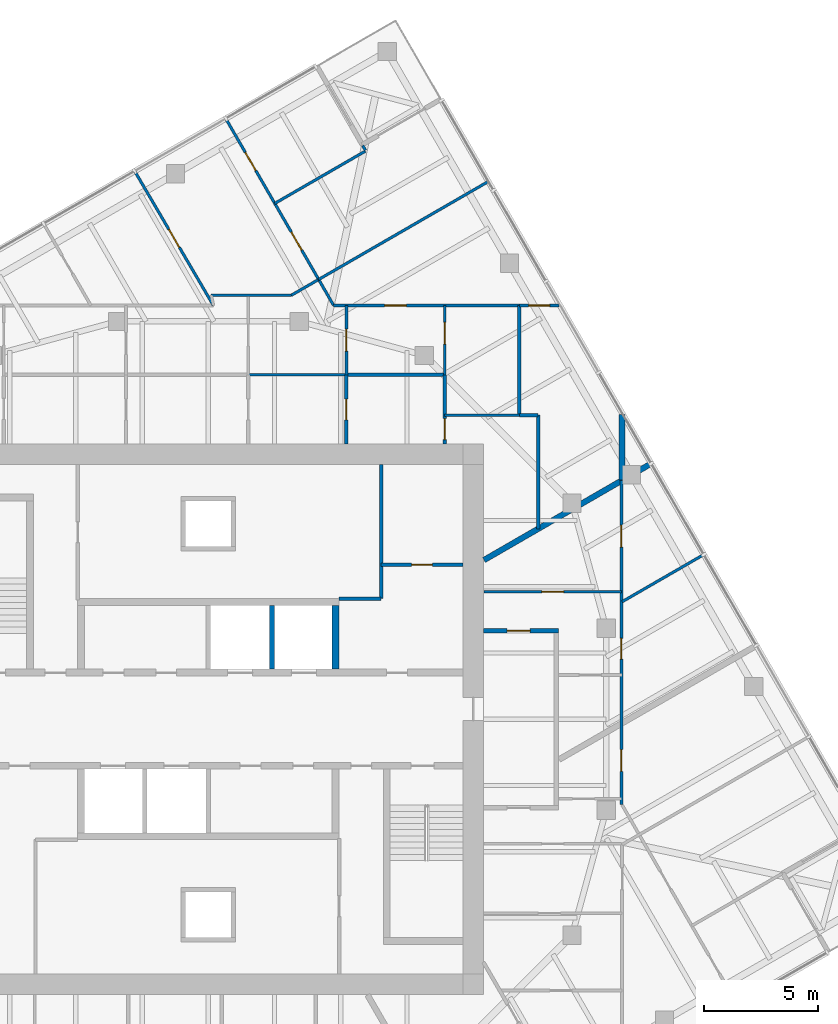
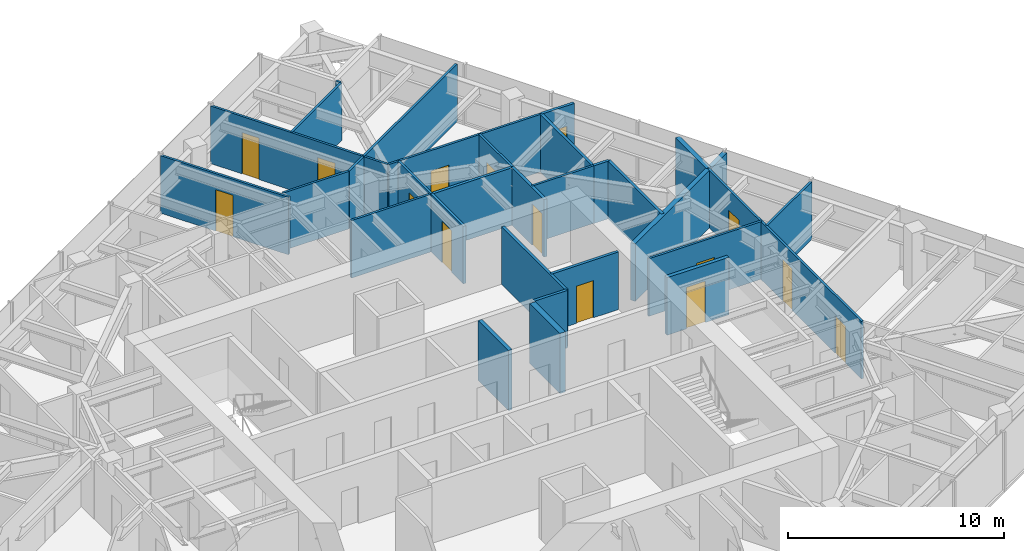
# One storey, part 11 of 13: 30 walls, 15 doors, 15 openings.
"""IFC4 building model written with IfcOpenShell, lengths in metres."""

from ifc_helpers import new_model, si_unit, direction, frame, frame_2d, origin, place, context, subcontext, project, spatial, rectangle, extrude, material, layer, layer_set, type_object, element, fill, save


model = new_model("IFC4")

# Units and contexts
model_context = context("Model", 3, precision=1e-05, world=origin(), true_north=direction((0.0, 1.0)))
body_context = subcontext(model_context, "Body", "Model", "MODEL_VIEW")
ifc_project = project(units=[si_unit("LENGTHUNIT", "METRE"), si_unit("AREAUNIT", "SQUARE_METRE"), si_unit("VOLUMEUNIT", "CUBIC_METRE"), si_unit("PLANEANGLEUNIT", "RADIAN"), si_unit("MASSUNIT", "GRAM", prefix="KILO")], contexts=[model_context])

# Site, building, storey
site_placement = place(None, origin())
site = spatial("IfcSite", under=ifc_project, at=site_placement, CompositionType="ELEMENT")
building_placement = place(site_placement, origin())
building = spatial("IfcBuilding", under=site, at=building_placement, Name="Torsade Residences", CompositionType="ELEMENT")
storey_placement = place(building_placement, frame((0.0, 0.0, 228.60009765625)))
storey = spatial("IfcBuildingStorey", under=building, at=storey_placement, Name="L63", CompositionType="ELEMENT", Elevation=228.60009765625)

# Wall
ifc_material_1 = material(Name="Concrete 80 MPa", Category="concrete")
ifc_layer_1 = layer(ifc_material_1, 0.300048828125)
ifc_layer_set_1 = layer_set([ifc_layer_1], Name="Concrete 80 MPa")
wall_type_1 = type_object("IfcWallType", Name="CORE INTERNAL WALL 300", PredefinedType="SHEAR", material=ifc_layer_set_1)
wall_1_placement = place(storey_placement, frame((45.60009765625, 32.199951171875, 0.0), z_axis=(0.0, 0.0, 1.0), x_axis=(0.0, 1.0, 0.0)))
element("IfcWall", 1, at=wall_1_placement, inside=storey, type_object=wall_type_1, Name="Core wall DN4 L63", PredefinedType="SHEAR", context=body_context, shape_type="SweptSolid", body=[
    extrude(rectangle(XDim=2.800048828125, YDim=0.300048828125, at=frame_2d((1.39990234375, 0.0))), origin(), (0.0, 0.0, 1.0), 3.39990234375),
])

# Wall, opening, door
ifc_material_2 = material(Name="Plasterboard on steel stud", Category="steel")
ifc_layer_2 = layer(ifc_material_2, 0.199951171875)
ifc_layer_set_2 = layer_set([ifc_layer_2], Name="Plasterboard on steel stud")
wall_type_2 = type_object("IfcWallType", Name="CORRIDOR WALL 200", PredefinedType="PARTITIONING", material=ifc_layer_set_2)
wall_2_placement = place(storey_placement, frame((52.10009765625, 33.89990234375, 0.0), z_axis=(0.0, 0.0, 1.0), x_axis=(1.0, 0.0, 0.0)))
wall_2 = element("IfcWall", 2, at=wall_2_placement, inside=storey, type_object=wall_type_2, Name="Corridor wall L63", PredefinedType="PARTITIONING", context=body_context, shape_type="SweptSolid", body=[
    extrude(rectangle(XDim=3.2998046875, YDim=0.199951171875, at=frame_2d((1.64990234375, 0.0))), origin(), (0.0, 0.0, 1.0), 3.25),
])
opening_1_placement = place(wall_2_placement, frame((1.0400390625, 0.0, 0.0)))
opening_1 = element("IfcOpeningElement", 3, at=opening_1_placement, cuts=wall_2, Name="Opening D01", PredefinedType="OPENING", context=body_context, shape_type="SweptSolid", body=[
    extrude(rectangle(XDim=1.02001953125, YDim=2.340087890625, at=frame_2d((0.510009765625, 1.169921875))), frame((0.0, 0.10986328125, 0.0), z_axis=(0.0, -1.0, 0.0), x_axis=(1.0, 0.0, 0.0)), (0.0, 0.0, 1.0), 0.219970703125),
])
ifc_material_3 = material(Name="Solid-core timber fire door", Category="wood")
door_type_1 = type_object("IfcDoorType", Name="APARTMENT ENTRY DOOR 1020x2340", OperationType="NOTDEFINED", PredefinedType="DOOR", material=ifc_material_3)
door_1_placement = place(opening_1_placement, origin())
door_1 = element("IfcDoor", 4, at=door_1_placement, inside=storey, type_object=door_type_1, Name="Door Residential corridor to Kitchen and dining", OperationType="SINGLE_SWING_LEFT", OverallHeight=2.340087890625, OverallWidth=1.02001953125, PredefinedType="DOOR", context=body_context, shape_type="SweptSolid", body=[
    extrude(rectangle(XDim=1.02001953125, YDim=2.340087890625, at=frame_2d((0.510009765625, 1.169921875))), frame((0.0, 0.02490234375, 0.0), z_axis=(0.0, -1.0, 0.0), x_axis=(1.0, 0.0, 0.0)), (0.0, 0.0, 1.0), 0.050048828125),
])
fill(opening_1, door_1)

# Wall
ifc_material_4 = material(Name="Reinforced blockwork", Category="masonry")
ifc_layer_3 = layer(ifc_material_4, 0.199951171875)
ifc_layer_set_3 = layer_set([ifc_layer_3], Name="Reinforced blockwork")
wall_type_3 = type_object("IfcWallType", Name="LIFT SHAFT DIVIDING WALL 200", PredefinedType="SOLIDWALL", material=ifc_layer_set_3)
wall_3_placement = place(storey_placement, frame((42.800048828125, 32.199951171875, 0.0), z_axis=(0.0, 0.0, 1.0), x_axis=(0.0, 1.0, 0.0)))
element("IfcWall", 5, at=wall_3_placement, inside=storey, type_object=wall_type_3, Name="Core wall DN3 L63", PredefinedType="SOLIDWALL", context=body_context, shape_type="SweptSolid", body=[
    extrude(rectangle(XDim=2.800048828125, YDim=0.199951171875, at=frame_2d((1.39990234375, 0.0))), origin(), (0.0, 0.0, 1.0), 3.39990234375),
])

# Wall, openings, doors
ifc_material_5 = material(Name="Plasterboard on steel stud", Category="steel")
ifc_layer_4 = layer(ifc_material_5, 0.1201171875)
ifc_layer_set_4 = layer_set([ifc_layer_4], Name="Plasterboard on steel stud")
wall_type_4 = type_object("IfcWallType", Name="PARTITION 120", PredefinedType="PARTITIONING", material=ifc_layer_set_4)
wall_4_placement = place(storey_placement, frame((58.170654296875, 40.49072265625, 0.0), z_axis=(0.0, 0.0, 1.0), x_axis=(-5.1455328e-05, -0.999999998676, 0.0)))
wall_4 = element("IfcWall", 6, at=wall_4_placement, inside=storey, type_object=wall_type_4, Name="Partition L63", PredefinedType="PARTITIONING", context=body_context, shape_type="SweptSolid", body=[
    extrude(rectangle(XDim=14.234130859375, YDim=0.1201171875, at=frame_2d((7.1171875, 0.0))), origin(), (0.0, 0.0, 1.0), 3.25),
])
opening_2_placement = place(wall_4_placement, frame((6.931640625, 0.0, 0.0)))
opening_2 = element("IfcOpeningElement", 7, at=opening_2_placement, cuts=wall_4, Name="Opening D02", PredefinedType="OPENING", context=body_context, shape_type="SweptSolid", body=[
    extrude(rectangle(XDim=0.919921875, YDim=2.340087890625, at=frame_2d((0.4599609375, 1.169921875))), frame((0.0, 0.070068359375, 0.0), z_axis=(0.0, -1.0, 0.0), x_axis=(1.0, 0.0, 0.0)), (0.0, 0.0, 1.0), 0.14013671875),
])
opening_3_placement = place(wall_4_placement, frame((11.82861328125, 0.0, 0.0)))
opening_3 = element("IfcOpeningElement", 8, at=opening_3_placement, cuts=wall_4, Name="Opening D05", PredefinedType="OPENING", context=body_context, shape_type="SweptSolid", body=[
    extrude(rectangle(XDim=0.9599609375, YDim=2.10009765625, at=frame_2d((0.47998046875, 1.050048828125))), frame((0.0, 0.070068359375, 0.0), z_axis=(0.0, -1.0, 0.0), x_axis=(1.0, 0.0, 0.0)), (0.0, 0.0, 1.0), 0.14013671875),
])
opening_4_placement = place(wall_4_placement, frame((1.9638671875, 0.0, 0.0)))
opening_4 = element("IfcOpeningElement", 9, at=opening_4_placement, cuts=wall_4, Name="Opening D05", PredefinedType="OPENING", context=body_context, shape_type="SweptSolid", body=[
    extrude(rectangle(XDim=0.9599609375, YDim=2.10009765625, at=frame_2d((0.47998046875, 1.050048828125))), frame((0.0, 0.070068359375, 0.0), z_axis=(0.0, -1.0, 0.0), x_axis=(1.0, 0.0, 0.0)), (0.0, 0.0, 1.0), 0.14013671875),
])
ifc_material_6 = material(Name="Hollow-core timber door in a steel cavity frame", Category="steel")
door_type_2 = type_object("IfcDoorType", Name="BATHROOM CAVITY SLIDING DOOR 960", OperationType="SLIDING_TO_LEFT", PredefinedType="DOOR", material=ifc_material_6)
door_2_placement = place(opening_3_placement, origin())
door_2 = element("IfcDoor", 10, at=door_2_placement, inside=storey, type_object=door_type_2, Name="Door Bathroom to Bedroom 1", OperationType="SLIDING_TO_LEFT", OverallHeight=2.10009765625, OverallWidth=0.9599609375, PredefinedType="DOOR", context=body_context, shape_type="SweptSolid", body=[
    extrude(rectangle(XDim=0.9599609375, YDim=2.10009765625, at=frame_2d((0.47998046875, 1.050048828125))), frame((0.0, 0.02490234375, 0.0), z_axis=(0.0, -1.0, 0.0), x_axis=(1.0, 0.0, 0.0)), (0.0, 0.0, 1.0), 0.050048828125),
])
fill(opening_3, door_2)
door_3_placement = place(opening_4_placement, origin())
door_3 = element("IfcDoor", 11, at=door_3_placement, inside=storey, type_object=door_type_2, Name="Door Ensuite to Bedroom 1", OperationType="SLIDING_TO_LEFT", OverallHeight=2.10009765625, OverallWidth=0.9599609375, PredefinedType="DOOR", context=body_context, shape_type="SweptSolid", body=[
    extrude(rectangle(XDim=0.9599609375, YDim=2.10009765625, at=frame_2d((0.47998046875, 1.050048828125))), frame((0.0, 0.02490234375, 0.0), z_axis=(0.0, -1.0, 0.0), x_axis=(1.0, 0.0, 0.0)), (0.0, 0.0, 1.0), 0.050048828125),
])
fill(opening_4, door_3)
ifc_material_7 = material(Name="Hollow-core timber door", Category="wood")
door_type_3 = type_object("IfcDoorType", Name="INTERNAL DOOR 920x2340", OperationType="NOTDEFINED", PredefinedType="DOOR", material=ifc_material_7)
door_4_placement = place(opening_2_placement, origin())
door_4 = element("IfcDoor", 12, at=door_4_placement, inside=storey, type_object=door_type_3, Name="Door Kitchen and dining to Living room", OperationType="SINGLE_SWING_LEFT", OverallHeight=2.340087890625, OverallWidth=0.919921875, PredefinedType="DOOR", context=body_context, shape_type="SweptSolid", body=[
    extrude(rectangle(XDim=0.919921875, YDim=2.340087890625, at=frame_2d((0.4599609375, 1.169921875))), frame((0.0, 0.02490234375, 0.0), z_axis=(0.0, -1.0, 0.0), x_axis=(1.0, 0.0, 0.0)), (0.0, 0.0, 1.0), 0.050048828125),
])
fill(opening_2, door_4)

# Wall, opening, door
wall_5_placement = place(storey_placement, frame((52.1298828125, 35.603271484375, 0.0), z_axis=(0.0, 0.0, 1.0), x_axis=(1.0, 0.0, 0.0)))
wall_5 = element("IfcWall", 13, at=wall_5_placement, inside=storey, type_object=wall_type_4, Name="Partition L63", PredefinedType="PARTITIONING", context=body_context, shape_type="SweptSolid", body=[
    extrude(rectangle(XDim=6.0400390625, YDim=0.1201171875, at=frame_2d((3.02001953125, 0.0))), origin(), (0.0, 0.0, 1.0), 3.25),
])
opening_5_placement = place(wall_5_placement, frame((2.5400390625, 0.0, 0.0)))
opening_5 = element("IfcOpeningElement", 14, at=opening_5_placement, cuts=wall_5, Name="Opening D05", PredefinedType="OPENING", context=body_context, shape_type="SweptSolid", body=[
    extrude(rectangle(XDim=0.9599609375, YDim=2.10009765625, at=frame_2d((0.47998046875, 1.050048828125))), frame((0.0, 0.070068359375, 0.0), z_axis=(0.0, -1.0, 0.0), x_axis=(1.0, 0.0, 0.0)), (0.0, 0.0, 1.0), 0.14013671875),
])
door_5_placement = place(opening_5_placement, origin())
door_5 = element("IfcDoor", 15, at=door_5_placement, inside=storey, type_object=door_type_2, Name="Door Kitchen and dining to Ensuite", OperationType="SLIDING_TO_LEFT", OverallHeight=2.10009765625, OverallWidth=0.9599609375, PredefinedType="DOOR", context=body_context, shape_type="SweptSolid", body=[
    extrude(rectangle(XDim=0.9599609375, YDim=2.10009765625, at=frame_2d((0.47998046875, 1.050048828125))), frame((0.0, 0.02490234375, 0.0), z_axis=(0.0, -1.0, 0.0), x_axis=(1.0, 0.0, 0.0)), (0.0, 0.0, 1.0), 0.050048828125),
])
fill(opening_5, door_5)

# Walls
wall_6_placement = place(storey_placement, frame((58.199951171875, 35.167236328125, 0.0), z_axis=(0.0, 0.0, 1.0), x_axis=(0.866025520146, 0.499999798456, 0.0)))
element("IfcWall", 16, at=wall_6_placement, inside=storey, type_object=wall_type_4, Name="Partition L63", PredefinedType="PARTITIONING", context=body_context, shape_type="SweptSolid", body=[
    extrude(rectangle(XDim=4.11474609375, YDim=0.1201171875, at=frame_2d((2.057373046875, 0.0))), origin(), (0.0, 0.0, 1.0), 3.25),
])
wall_7_placement = place(storey_placement, frame((46.07421875, 45.14990234375, 0.0), z_axis=(0.0, 0.0, 1.0), x_axis=(-1.0, 0.0, 0.0)))
element("IfcWall", 17, at=wall_7_placement, inside=storey, type_object=wall_type_4, Name="Partition L63", PredefinedType="PARTITIONING", context=body_context, shape_type="SweptSolid", body=[
    extrude(rectangle(XDim=4.32080078125, YDim=0.1201171875, at=frame_2d((2.160400390625, 0.0))), origin(), (0.0, 0.0, 1.0), 3.25),
])

# Wall, opening, door
wall_8_placement = place(storey_placement, frame((46.07421875, 48.199951171875, 0.0), z_axis=(0.0, 0.0, 1.0), x_axis=(0.0, -1.0, 0.0)))
wall_8 = element("IfcWall", 18, at=wall_8_placement, inside=storey, type_object=wall_type_4, Name="Partition L63", PredefinedType="PARTITIONING", context=body_context, shape_type="SweptSolid", body=[
    extrude(rectangle(XDim=3.050048828125, YDim=0.1201171875, at=frame_2d((1.52490234375, 0.0))), origin(), (0.0, 0.0, 1.0), 3.25),
])
opening_6_placement = place(wall_8_placement, frame((1.044921875, 0.0, 0.0)))
opening_6 = element("IfcOpeningElement", 19, at=opening_6_placement, cuts=wall_8, Name="Opening D05", PredefinedType="OPENING", context=body_context, shape_type="SweptSolid", body=[
    extrude(rectangle(XDim=0.9599609375, YDim=2.10009765625, at=frame_2d((0.47998046875, 1.050048828125))), frame((0.0, 0.070068359375, 0.0), z_axis=(0.0, -1.0, 0.0), x_axis=(1.0, 0.0, 0.0)), (0.0, 0.0, 1.0), 0.14013671875),
])
door_6_placement = place(opening_6_placement, origin())
door_6 = element("IfcDoor", 20, at=door_6_placement, inside=storey, type_object=door_type_2, Name="Door Ensuite to WC 3", OperationType="SLIDING_TO_LEFT", OverallHeight=2.10009765625, OverallWidth=0.9599609375, PredefinedType="DOOR", context=body_context, shape_type="SweptSolid", body=[
    extrude(rectangle(XDim=0.9599609375, YDim=2.10009765625, at=frame_2d((0.47998046875, 1.050048828125))), frame((0.0, 0.02490234375, 0.0), z_axis=(0.0, -1.0, 0.0), x_axis=(1.0, 0.0, 0.0)), (0.0, 0.0, 1.0), 0.050048828125),
])
fill(opening_6, door_6)

# Walls
wall_9_placement = place(storey_placement, frame((40.123291015625, 48.64990234375, 0.0), z_axis=(0.0, 0.0, 1.0), x_axis=(1.0, 0.0, 0.0)))
element("IfcWall", 21, at=wall_9_placement, inside=storey, type_object=wall_type_4, Name="Partition L63", PredefinedType="PARTITIONING", context=body_context, shape_type="SweptSolid", body=[
    extrude(rectangle(XDim=3.529541015625, YDim=0.1201171875, at=frame_2d((1.7646484375, 0.0))), origin(), (0.0, 0.0, 1.0), 3.25),
])
wall_10_placement = place(storey_placement, frame((43.65283203125, 48.64990234375, 0.0), z_axis=(0.0, 0.0, 1.0), x_axis=(0.865980246016, 0.500078207394, 0.0)))
element("IfcWall", 22, at=wall_10_placement, inside=storey, type_object=wall_type_4, Name="Partition L63", PredefinedType="PARTITIONING", context=body_context, shape_type="SweptSolid", body=[
    extrude(rectangle(XDim=1.346435546875, YDim=0.1201171875, at=frame_2d((0.67333984375, 0.0))), origin(), (0.0, 0.0, 1.0), 3.25),
])

# Wall, openings, doors
wall_11_placement = place(storey_placement, frame((40.7861328125, 56.388427734375, 0.0), z_axis=(0.0, 0.0, 1.0), x_axis=(0.49999364752, -0.86602907136, 0.0)))
wall_11 = element("IfcWall", 23, at=wall_11_placement, inside=storey, type_object=wall_type_4, Name="Partition L63", PredefinedType="PARTITIONING", context=body_context, shape_type="SweptSolid", body=[
    extrude(rectangle(XDim=9.455078125, YDim=0.1201171875, at=frame_2d((4.7275390625, 0.0))), origin(), (0.0, 0.0, 1.0), 3.25),
])
opening_7_placement = place(wall_11_placement, frame((1.68115234375, 0.0, 0.0)))
opening_7 = element("IfcOpeningElement", 24, at=opening_7_placement, cuts=wall_11, Name="Opening D02", PredefinedType="OPENING", context=body_context, shape_type="SweptSolid", body=[
    extrude(rectangle(XDim=0.919921875, YDim=2.340087890625, at=frame_2d((0.4599609375, 1.169921875))), frame((0.0, 0.070068359375, 0.0), z_axis=(0.0, -1.0, 0.0), x_axis=(1.0, 0.0, 0.0)), (0.0, 0.0, 1.0), 0.14013671875),
])
opening_8_placement = place(wall_11_placement, frame((5.7255859375, 0.0, 0.0)))
opening_8 = element("IfcOpeningElement", 25, at=opening_8_placement, cuts=wall_11, Name="Opening D02", PredefinedType="OPENING", context=body_context, shape_type="SweptSolid", body=[
    extrude(rectangle(XDim=0.919921875, YDim=2.340087890625, at=frame_2d((0.4599609375, 1.169921875))), frame((0.0, 0.070068359375, 0.0), z_axis=(0.0, -1.0, 0.0), x_axis=(1.0, 0.0, 0.0)), (0.0, 0.0, 1.0), 0.14013671875),
])
door_7_placement = place(opening_7_placement, origin())
door_7 = element("IfcDoor", 26, at=door_7_placement, inside=storey, type_object=door_type_3, Name="Door Study 2 to Study 4", OperationType="SINGLE_SWING_RIGHT", OverallHeight=2.340087890625, OverallWidth=0.919921875, PredefinedType="DOOR", context=body_context, shape_type="SweptSolid", body=[
    extrude(rectangle(XDim=0.919921875, YDim=2.340087890625, at=frame_2d((0.4599609375, 1.169921875))), frame((0.0, 0.02490234375, 0.0), z_axis=(0.0, -1.0, 0.0), x_axis=(1.0, 0.0, 0.0)), (0.0, 0.0, 1.0), 0.050048828125),
])
fill(opening_7, door_7)
door_8_placement = place(opening_8_placement, origin())
door_8 = element("IfcDoor", 27, at=door_8_placement, inside=storey, type_object=door_type_3, Name="Door Study 2 to Bedroom 1", OperationType="SINGLE_SWING_LEFT", OverallHeight=2.340087890625, OverallWidth=0.919921875, PredefinedType="DOOR", context=body_context, shape_type="SweptSolid", body=[
    extrude(rectangle(XDim=0.919921875, YDim=2.340087890625, at=frame_2d((0.4599609375, 1.169921875))), frame((0.0, 0.02490234375, 0.0), z_axis=(0.0, -1.0, 0.0), x_axis=(1.0, 0.0, 0.0)), (0.0, 0.0, 1.0), 0.050048828125),
])
fill(opening_8, door_8)

# Wall, opening, door
wall_12_placement = place(storey_placement, frame((45.513671875, 48.199951171875, 0.0), z_axis=(0.0, 0.0, 1.0), x_axis=(1.0, 0.0, 0.0)))
wall_12 = element("IfcWall", 28, at=wall_12_placement, inside=storey, type_object=wall_type_4, Name="Partition L63", PredefinedType="PARTITIONING", context=body_context, shape_type="SweptSolid", body=[
    extrude(rectangle(XDim=8.166015625, YDim=0.1201171875, at=frame_2d((4.0830078125, 0.0))), origin(), (0.0, 0.0, 1.0), 3.25),
])
opening_9_placement = place(wall_12_placement, frame((2.24072265625, 0.0, 0.0)))
opening_9 = element("IfcOpeningElement", 29, at=opening_9_placement, cuts=wall_12, Name="Opening D05", PredefinedType="OPENING", context=body_context, shape_type="SweptSolid", body=[
    extrude(rectangle(XDim=0.9599609375, YDim=2.10009765625, at=frame_2d((0.47998046875, 1.050048828125))), frame((0.0, 0.070068359375, 0.0), z_axis=(0.0, -1.0, 0.0), x_axis=(1.0, 0.0, 0.0)), (0.0, 0.0, 1.0), 0.14013671875),
])
door_9_placement = place(opening_9_placement, origin())
door_9 = element("IfcDoor", 30, at=door_9_placement, inside=storey, type_object=door_type_2, Name="Door WC 3 to Dining room", OperationType="SLIDING_TO_LEFT", OverallHeight=2.10009765625, OverallWidth=0.9599609375, PredefinedType="DOOR", context=body_context, shape_type="SweptSolid", body=[
    extrude(rectangle(XDim=0.9599609375, YDim=2.10009765625, at=frame_2d((0.47998046875, 1.050048828125))), frame((0.0, 0.02490234375, 0.0), z_axis=(0.0, -1.0, 0.0), x_axis=(1.0, 0.0, 0.0)), (0.0, 0.0, 1.0), 0.050048828125),
])
fill(opening_9, door_9)

wall_13_placement = place(storey_placement, frame((50.394775390625, 48.199951171875, 0.0), z_axis=(0.0, 0.0, 1.0), x_axis=(0.0, -1.0, 0.0)))
wall_13 = element("IfcWall", 31, at=wall_13_placement, inside=storey, type_object=wall_type_4, Name="Partition L63", PredefinedType="PARTITIONING", context=body_context, shape_type="SweptSolid", body=[
    extrude(rectangle(XDim=3.050048828125, YDim=0.1201171875, at=frame_2d((1.52490234375, 0.0))), origin(), (0.0, 0.0, 1.0), 3.25),
])
opening_10_placement = place(wall_13_placement, frame((0.7451171875, 0.0, 0.0)))
opening_10 = element("IfcOpeningElement", 32, at=opening_10_placement, cuts=wall_13, Name="Opening D05", PredefinedType="OPENING", context=body_context, shape_type="SweptSolid", body=[
    extrude(rectangle(XDim=0.9599609375, YDim=2.10009765625, at=frame_2d((0.47998046875, 1.050048828125))), frame((0.0, 0.070068359375, 0.0), z_axis=(0.0, -1.0, 0.0), x_axis=(1.0, 0.0, 0.0)), (0.0, 0.0, 1.0), 0.14013671875),
])
door_10_placement = place(opening_10_placement, origin())
door_10 = element("IfcDoor", 33, at=door_10_placement, inside=storey, type_object=door_type_2, Name="Door WC 3 to WC 4", OperationType="SLIDING_TO_LEFT", OverallHeight=2.10009765625, OverallWidth=0.9599609375, PredefinedType="DOOR", context=body_context, shape_type="SweptSolid", body=[
    extrude(rectangle(XDim=0.9599609375, YDim=2.10009765625, at=frame_2d((0.47998046875, 1.050048828125))), frame((0.0, 0.02490234375, 0.0), z_axis=(0.0, -1.0, 0.0), x_axis=(1.0, 0.0, 0.0)), (0.0, 0.0, 1.0), 0.050048828125),
])
fill(opening_10, door_10)

# Walls
wall_14_placement = place(storey_placement, frame((53.6796875, 43.3759765625, 0.0), z_axis=(0.0, 0.0, 1.0), x_axis=(-1.0, 0.0, 0.0)))
element("IfcWall", 34, at=wall_14_placement, inside=storey, type_object=wall_type_4, Name="Partition L63", PredefinedType="PARTITIONING", context=body_context, shape_type="SweptSolid", body=[
    extrude(rectangle(XDim=3.284912109375, YDim=0.1201171875, at=frame_2d((1.642578125, 0.0))), origin(), (0.0, 0.0, 1.0), 3.25),
])
wall_15_placement = place(storey_placement, frame((52.288330078125, 53.6357421875, 0.0), z_axis=(0.0, 0.0, 1.0), x_axis=(-0.866020787358, -0.500007995801, 0.0)))
element("IfcWall", 35, at=wall_15_placement, inside=storey, type_object=wall_type_4, Name="Partition L63", PredefinedType="PARTITIONING", context=body_context, shape_type="SweptSolid", body=[
    extrude(rectangle(XDim=8.585205078125, YDim=0.1201171875, at=frame_2d((4.29248046875, 0.0))), origin(), (0.0, 0.0, 1.0), 3.25),
])
wall_16_placement = place(storey_placement, frame((42.922119140625, 52.688232421875, 0.0), z_axis=(0.0, 0.0, 1.0), x_axis=(0.866034300541, 0.499984590049, 0.0)))
element("IfcWall", 36, at=wall_16_placement, inside=storey, type_object=wall_type_4, Name="Partition L63", PredefinedType="PARTITIONING", context=body_context, shape_type="SweptSolid", body=[
    extrude(rectangle(XDim=4.595458984375, YDim=0.1201171875, at=frame_2d((2.2978515625, 0.0))), origin(), (0.0, 0.0, 1.0), 3.25),
])
wall_17_placement = place(storey_placement, frame((46.9140625, 55.024169921875, 0.0), z_axis=(0.0, 0.0, 1.0), x_axis=(-0.499349249257, 0.86640078905, 0.0)))
element("IfcWall", 37, at=wall_17_placement, inside=storey, type_object=wall_type_4, Name="Partition L63", PredefinedType="PARTITIONING", context=body_context, shape_type="SweptSolid", body=[
    extrude(rectangle(XDim=0.245361328125, YDim=0.1201171875, at=frame_2d((0.12255859375, 0.0))), origin(), (0.0, 0.0, 1.0), 3.25),
])

# Wall, opening, door
wall_18_placement = place(storey_placement, frame((40.22314453125, 48.199951171875, 0.0), z_axis=(0.0, 0.0, 1.0), x_axis=(-0.505457259534, 0.862851643554, 0.0)))
wall_18 = element("IfcWall", 38, at=wall_18_placement, inside=storey, type_object=wall_type_4, Name="Partition L63", PredefinedType="PARTITIONING", context=body_context, shape_type="SweptSolid", body=[
    extrude(rectangle(XDim=6.81005859375, YDim=0.1201171875, at=frame_2d((3.405029296875, 0.0))), origin(), (0.0, 0.0, 1.0), 3.25),
])
opening_11_placement = place(wall_18_placement, frame((2.965087890625, 0.0, 0.0)))
opening_11 = element("IfcOpeningElement", 39, at=opening_11_placement, cuts=wall_18, Name="Opening D02", PredefinedType="OPENING", context=body_context, shape_type="SweptSolid", body=[
    extrude(rectangle(XDim=0.919921875, YDim=2.340087890625, at=frame_2d((0.4599609375, 1.169921875))), frame((0.0, 0.070068359375, 0.0), z_axis=(0.0, -1.0, 0.0), x_axis=(1.0, 0.0, 0.0)), (0.0, 0.0, 1.0), 0.14013671875),
])
door_11_placement = place(opening_11_placement, origin())
door_11 = element("IfcDoor", 40, at=door_11_placement, inside=storey, type_object=door_type_3, Name="Door Family room 2 to Study 2", OperationType="SINGLE_SWING_LEFT", OverallHeight=2.340087890625, OverallWidth=0.919921875, PredefinedType="DOOR", context=body_context, shape_type="SweptSolid", body=[
    extrude(rectangle(XDim=0.919921875, YDim=2.340087890625, at=frame_2d((0.4599609375, 1.169921875))), frame((0.0, 0.02490234375, 0.0), z_axis=(0.0, -1.0, 0.0), x_axis=(1.0, 0.0, 0.0)), (0.0, 0.0, 1.0), 0.050048828125),
])
fill(opening_11, door_11)

# Walls
ifc_material_8 = material(Name="Masonry-lined stud party wall", Category="masonry")
ifc_layer_5 = layer(ifc_material_8, 0.25)
ifc_layer_set_5 = layer_set([ifc_layer_5], Name="Masonry-lined stud party wall")
wall_type_5 = type_object("IfcWallType", Name="PARTY WALL 250", PredefinedType="PARTITIONING", material=ifc_layer_set_5)
wall_19_placement = place(storey_placement, frame((59.485595703125, 41.25, 0.0), z_axis=(0.0, 0.0, 1.0), x_axis=(-0.866020489494, -0.500008511703, 0.0)))
element("IfcWall", 41, at=wall_19_placement, inside=storey, type_object=wall_type_5, Name="Party wall L63", PredefinedType="PARTITIONING", context=body_context, shape_type="SweptSolid", body=[
    extrude(rectangle(XDim=8.495849609375, YDim=0.25, at=frame_2d((4.248046875, 0.0))), origin(), (0.0, 0.0, 1.0), 3.25),
])
wall_20_placement = place(storey_placement, frame((58.199951171875, 40.525146484375, 0.0), z_axis=(0.0, 0.0, 1.0), x_axis=(0.0, 1.0, 0.0)))
element("IfcWall", 42, at=wall_20_placement, inside=storey, type_object=wall_type_5, Name="Party wall L63", PredefinedType="PARTITIONING", context=body_context, shape_type="SweptSolid", body=[
    extrude(rectangle(XDim=2.87158203125, YDim=0.25, at=frame_2d((1.435791015625, 0.0))), origin(), (0.0, 0.0, 1.0), 3.25),
])
ifc_material_9 = material(Name="Reinforced blockwork", Category="masonry")
ifc_layer_6 = layer(ifc_material_9, 0.14990234375)
ifc_layer_set_6 = layer_set([ifc_layer_6], Name="Reinforced blockwork")
wall_type_6 = type_object("IfcWallType", Name="SERVICE ROOM WALL 150", PredefinedType="SOLIDWALL", material=ifc_layer_set_6)
wall_21_placement = place(storey_placement, frame((47.60009765625, 41.199951171875, 0.0), z_axis=(0.0, 0.0, 1.0), x_axis=(0.0, -1.0, 0.0)))
element("IfcWall", 43, at=wall_21_placement, inside=storey, type_object=wall_type_6, Name="Service room wall L63", PredefinedType="SOLIDWALL", context=body_context, shape_type="SweptSolid", body=[
    extrude(rectangle(XDim=5.89990234375, YDim=0.14990234375, at=frame_2d((2.949951171875, 0.0))), origin(), (0.0, 0.0, 1.0), 3.25),
])
wall_22_placement = place(storey_placement, frame((47.60009765625, 35.300048828125, 0.0), z_axis=(0.0, 0.0, 1.0), x_axis=(-1.0, 0.0, 0.0)))
element("IfcWall", 44, at=wall_22_placement, inside=storey, type_object=wall_type_6, Name="Service room wall L63", PredefinedType="SOLIDWALL", context=body_context, shape_type="SweptSolid", body=[
    extrude(rectangle(XDim=1.85009765625, YDim=0.14990234375, at=frame_2d((0.925048828125, 0.0))), origin(), (0.0, 0.0, 1.0), 3.25),
])

# Wall, opening, door
wall_23_placement = place(storey_placement, frame((47.60009765625, 36.800048828125, 0.0), z_axis=(0.0, 0.0, 1.0), x_axis=(1.0, 0.0, 0.0)))
wall_23 = element("IfcWall", 45, at=wall_23_placement, inside=storey, type_object=wall_type_6, Name="Service room wall L63", PredefinedType="SOLIDWALL", context=body_context, shape_type="SweptSolid", body=[
    extrude(rectangle(XDim=3.599853515625, YDim=0.14990234375, at=frame_2d((1.7998046875, 0.0))), origin(), (0.0, 0.0, 1.0), 3.25),
])
opening_12_placement = place(wall_23_placement, frame((1.340087890625, 0.0, 0.0)))
opening_12 = element("IfcOpeningElement", 46, at=opening_12_placement, cuts=wall_23, Name="Opening D06", PredefinedType="OPENING", context=body_context, shape_type="SweptSolid", body=[
    extrude(rectangle(XDim=0.919921875, YDim=2.10009765625, at=frame_2d((0.4599609375, 1.050048828125))), frame((0.0, 0.0849609375, 0.0), z_axis=(0.0, -1.0, 0.0), x_axis=(1.0, 0.0, 0.0)), (0.0, 0.0, 1.0), 0.169921875),
])
ifc_material_10 = material(Name="Steel-framed fire door", Category="steel")
door_type_4 = type_object("IfcDoorType", Name="FIRE DOOR 920", OperationType="NOTDEFINED", PredefinedType="DOOR", material=ifc_material_10)
door_12_placement = place(opening_12_placement, origin())
door_12 = element("IfcDoor", 47, at=door_12_placement, inside=storey, type_object=door_type_4, Name="Door Refuse room to Linen store", OperationType="SINGLE_SWING_LEFT", OverallHeight=2.10009765625, OverallWidth=0.919921875, PredefinedType="DOOR", context=body_context, shape_type="SweptSolid", body=[
    extrude(rectangle(XDim=0.919921875, YDim=2.10009765625, at=frame_2d((0.4599609375, 1.050048828125))), frame((0.0, 0.02490234375, 0.0), z_axis=(0.0, -1.0, 0.0), x_axis=(1.0, 0.0, 0.0)), (0.0, 0.0, 1.0), 0.050048828125),
])
fill(opening_12, door_12)

wall_24_placement = place(storey_placement, frame((46.07421875, 45.14990234375, 0.0), z_axis=(0.0, 0.0, 1.0), x_axis=(0.0, -1.0, 0.0)))
wall_24 = element("IfcWall", 48, at=wall_24_placement, inside=storey, type_object=wall_type_6, Name="Service room wall L63", PredefinedType="SOLIDWALL", context=body_context, shape_type="SweptSolid", body=[
    extrude(rectangle(XDim=3.0498046875, YDim=0.14990234375, at=frame_2d((1.52490234375, 0.0))), origin(), (0.0, 0.0, 1.0), 3.25),
])
opening_13_placement = place(wall_24_placement, frame((1.06494140625, 0.0, 0.0)))
opening_13 = element("IfcOpeningElement", 49, at=opening_13_placement, cuts=wall_24, Name="Opening D02", PredefinedType="OPENING", context=body_context, shape_type="SweptSolid", body=[
    extrude(rectangle(XDim=0.919921875, YDim=2.340087890625, at=frame_2d((0.4599609375, 1.169921875))), frame((0.0, 0.0849609375, 0.0), z_axis=(0.0, -1.0, 0.0), x_axis=(1.0, 0.0, 0.0)), (0.0, 0.0, 1.0), 0.169921875),
])
door_13_placement = place(opening_13_placement, origin())
door_13 = element("IfcDoor", 50, at=door_13_placement, inside=storey, type_object=door_type_3, Name="Door Dressing room 3 to Linen store 2", OperationType="SINGLE_SWING_LEFT", OverallHeight=2.340087890625, OverallWidth=0.919921875, PredefinedType="DOOR", context=body_context, shape_type="SweptSolid", body=[
    extrude(rectangle(XDim=0.919921875, YDim=2.340087890625, at=frame_2d((0.4599609375, 1.169921875))), frame((0.0, 0.02490234375, 0.0), z_axis=(0.0, -1.0, 0.0), x_axis=(1.0, 0.0, 0.0)), (0.0, 0.0, 1.0), 0.050048828125),
])
fill(opening_13, door_13)

# Wall
wall_25_placement = place(storey_placement, frame((50.394775390625, 45.14990234375, 0.0), z_axis=(0.0, 0.0, 1.0), x_axis=(-1.0, 0.0, 0.0)))
element("IfcWall", 51, at=wall_25_placement, inside=storey, type_object=wall_type_6, Name="Service room wall L63", PredefinedType="SOLIDWALL", context=body_context, shape_type="SweptSolid", body=[
    extrude(rectangle(XDim=4.320556640625, YDim=0.14990234375, at=frame_2d((2.16015625, 0.0))), origin(), (0.0, 0.0, 1.0), 3.25),
])

# Wall, opening, door
wall_26_placement = place(storey_placement, frame((50.394775390625, 45.14990234375, 0.0), z_axis=(0.0, 0.0, 1.0), x_axis=(0.0, -1.0, 0.0)))
wall_26 = element("IfcWall", 52, at=wall_26_placement, inside=storey, type_object=wall_type_6, Name="Service room wall L63", PredefinedType="SOLIDWALL", context=body_context, shape_type="SweptSolid", body=[
    extrude(rectangle(XDim=3.0498046875, YDim=0.14990234375, at=frame_2d((1.52490234375, 0.0))), origin(), (0.0, 0.0, 1.0), 3.25),
])
opening_14_placement = place(wall_26_placement, frame((1.927001953125, 0.0, 0.0)))
opening_14 = element("IfcOpeningElement", 53, at=opening_14_placement, cuts=wall_26, Name="Opening D02", PredefinedType="OPENING", context=body_context, shape_type="SweptSolid", body=[
    extrude(rectangle(XDim=0.919921875, YDim=2.340087890625, at=frame_2d((0.4599609375, 1.169921875))), frame((0.0, 0.0849609375, 0.0), z_axis=(0.0, -1.0, 0.0), x_axis=(1.0, 0.0, 0.0)), (0.0, 0.0, 1.0), 0.169921875),
])
door_14_placement = place(opening_14_placement, origin())
door_14 = element("IfcDoor", 54, at=door_14_placement, inside=storey, type_object=door_type_3, Name="Door Linen store 2 to Dressing room 5", OperationType="SINGLE_SWING_LEFT", OverallHeight=2.340087890625, OverallWidth=0.919921875, PredefinedType="DOOR", context=body_context, shape_type="SweptSolid", body=[
    extrude(rectangle(XDim=0.919921875, YDim=2.340087890625, at=frame_2d((0.4599609375, 1.169921875))), frame((0.0, 0.02490234375, 0.0), z_axis=(0.0, -1.0, 0.0), x_axis=(1.0, 0.0, 0.0)), (0.0, 0.0, 1.0), 0.050048828125),
])
fill(opening_14, door_14)

# Walls
wall_27_placement = place(storey_placement, frame((53.6796875, 48.199951171875, 0.0), z_axis=(0.0, 0.0, 1.0), x_axis=(0.0, -1.0, 0.0)))
element("IfcWall", 55, at=wall_27_placement, inside=storey, type_object=wall_type_6, Name="Service room wall L63", PredefinedType="SOLIDWALL", context=body_context, shape_type="SweptSolid", body=[
    extrude(rectangle(XDim=4.823974609375, YDim=0.14990234375, at=frame_2d((2.412109375, 0.0))), origin(), (0.0, 0.0, 1.0), 3.25),
])
wall_28_placement = place(storey_placement, frame((53.6796875, 43.3759765625, 0.0), z_axis=(0.0, 0.0, 1.0), x_axis=(1.0, 0.0, 0.0)))
element("IfcWall", 56, at=wall_28_placement, inside=storey, type_object=wall_type_6, Name="Service room wall L63", PredefinedType="SOLIDWALL", context=body_context, shape_type="SweptSolid", body=[
    extrude(rectangle(XDim=0.83203125, YDim=0.14990234375, at=frame_2d((0.416015625, 0.0))), origin(), (0.0, 0.0, 1.0), 3.25),
])
wall_29_placement = place(storey_placement, frame((54.51171875, 43.3759765625, 0.0), z_axis=(0.0, 0.0, 1.0), x_axis=(0.0, -1.0, 0.0)))
element("IfcWall", 57, at=wall_29_placement, inside=storey, type_object=wall_type_6, Name="Service room wall L63", PredefinedType="SOLIDWALL", context=body_context, shape_type="SweptSolid", body=[
    extrude(rectangle(XDim=4.99755859375, YDim=0.14990234375, at=frame_2d((2.498779296875, 0.0))), origin(), (0.0, 0.0, 1.0), 3.25),
])

# Wall, opening, door
wall_30_placement = place(storey_placement, frame((55.4267578125, 48.199951171875, 0.0), z_axis=(0.0, 0.0, 1.0), x_axis=(-1.0, 0.0, 0.0)))
wall_30 = element("IfcWall", 58, at=wall_30_placement, inside=storey, type_object=wall_type_6, Name="Service room wall L63", PredefinedType="SOLIDWALL", context=body_context, shape_type="SweptSolid", body=[
    extrude(rectangle(XDim=1.7470703125, YDim=0.14990234375, at=frame_2d((0.87353515625, 0.0))), origin(), (0.0, 0.0, 1.0), 3.25),
])
opening_15_placement = place(wall_30_placement, frame((0.41552734375, 0.0, 0.0)))
opening_15 = element("IfcOpeningElement", 59, at=opening_15_placement, cuts=wall_30, Name="Opening D02L", PredefinedType="OPENING", context=body_context, shape_type="SweptSolid", body=[
    extrude(rectangle(XDim=0.919921875, YDim=2.10009765625, at=frame_2d((0.4599609375, 1.050048828125))), frame((0.0, 0.0849609375, 0.0), z_axis=(0.0, -1.0, 0.0), x_axis=(1.0, 0.0, 0.0)), (0.0, 0.0, 1.0), 0.169921875),
])
ifc_material_11 = material(Name="Hollow-core timber door", Category="wood")
door_type_5 = type_object("IfcDoorType", Name="INTERNAL DOOR 920x2100", OperationType="NOTDEFINED", PredefinedType="DOOR", material=ifc_material_11)
door_15_placement = place(opening_15_placement, origin())
door_15 = element("IfcDoor", 60, at=door_15_placement, inside=storey, type_object=door_type_5, Name="Door Dining room to Linen store 6", OperationType="SINGLE_SWING_RIGHT", OverallHeight=2.10009765625, OverallWidth=0.919921875, PredefinedType="DOOR", context=body_context, shape_type="SweptSolid", body=[
    extrude(rectangle(XDim=0.919921875, YDim=2.10009765625, at=frame_2d((0.4599609375, 1.050048828125))), frame((0.0, 0.02490234375, 0.0), z_axis=(0.0, -1.0, 0.0), x_axis=(1.0, 0.0, 0.0)), (0.0, 0.0, 1.0), 0.050048828125),
])
fill(opening_15, door_15)

save(model, "model.ifc")
